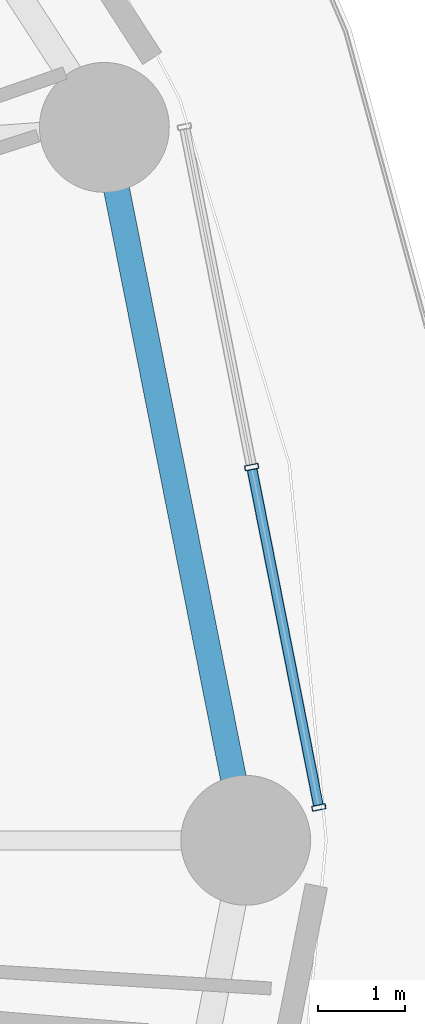
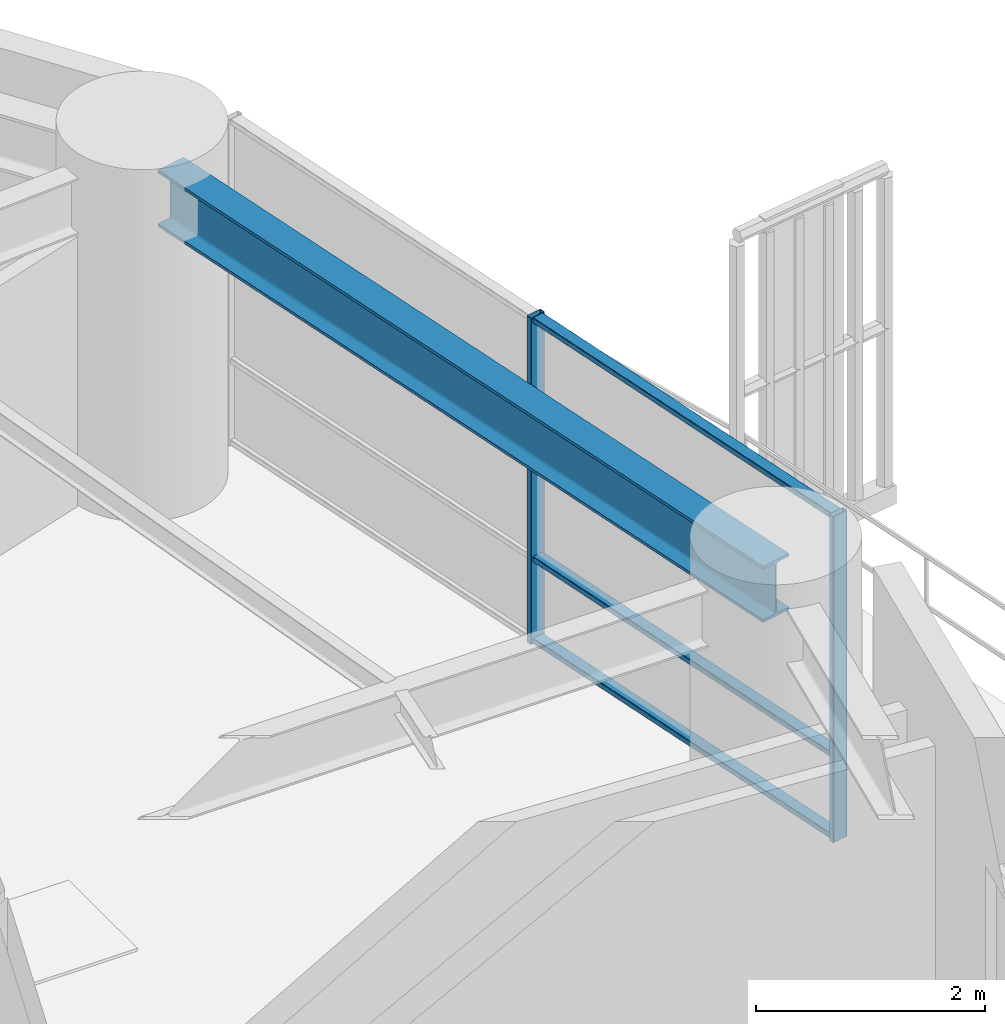
# One storey, part 14 of 32: 5 members, 1 beam, 1 element without a shape of its own.
"""IFC4 building model written with IfcOpenShell, lengths in metres."""

from ifc_helpers import new_model, si_unit, direction, frame, origin, origin_2d, place, context, subcontext, project, spatial, hollow_rectangle, i_section, extrude, material, layer, layer_set, material_profile, profile_set, type_object, element, aggregate, save


model = new_model("IFC4")

# Units and contexts
model_context = context("Model", 3, precision=1e-05, world=origin(), true_north=direction((0.0, 1.0)))
body_context = subcontext(model_context, "Body", "Model", "MODEL_VIEW")
ifc_project = project(units=[si_unit("LENGTHUNIT", "METRE"), si_unit("AREAUNIT", "SQUARE_METRE"), si_unit("VOLUMEUNIT", "CUBIC_METRE"), si_unit("PLANEANGLEUNIT", "RADIAN"), si_unit("MASSUNIT", "GRAM", prefix="KILO")], contexts=[model_context])

# Site, building, storey
site_placement = place(None, origin())
site = spatial("IfcSite", under=ifc_project, at=site_placement, CompositionType="ELEMENT")
building_placement = place(site_placement, origin())
building = spatial("IfcBuilding", under=site, at=building_placement, Name="Kelanora Arch Commons", CompositionType="ELEMENT")
storey_placement = place(building_placement, frame((0.0, 0.0, 60.0)))
storey = spatial("IfcBuildingStorey", under=building, at=storey_placement, Name="L15", CompositionType="ELEMENT", Elevation=60.0)

# Beam
ifc_material_1 = material(Name="Steel S355", Category="steel")
ifc_material_profile_1 = material_profile(ifc_material_1, i_section(OverallWidth=0.300048828125, OverallDepth=0.60009765625, WebThickness=0.015380859375, FlangeThickness=0.030029296875, FilletRadius=0.027099609375, at=origin_2d()), Name="HEB600")
ifc_profile_set_1 = profile_set([ifc_material_profile_1], Name="Steel S355")
beam_type = type_object("IfcBeamType", Name="BM-SPN-Z1", PredefinedType="SPANDREL", material=ifc_profile_set_1)
beam_placement = place(storey_placement, frame((101.080078125, 58.0, 3.18994140625), z_axis=(-0.194522790633, 0.980897998736, 0.0), x_axis=(-0.980897998736, -0.194522790633, 0.0)))
element("IfcBeam", 1, at=beam_placement, inside=storey, type_object=beam_type, Name="Perimeter Spandrel Beam BS-00 L15", PredefinedType="SPANDREL", context=body_context, shape_type="SweptSolid", body=[
    extrude(i_section(OverallWidth=0.300048828125, OverallDepth=0.60009765625, WebThickness=0.015380859375, FlangeThickness=0.030029296875, FilletRadius=0.027099609375, at=origin_2d()), origin(), (0.0, 0.0, 1.0), 8.01611328125),
])

# Curtain wall, members
ifc_material_2 = material(Name="Terracotta ceramic-fritted low-E glass and aluminium", Category="masonry")
ifc_layer = layer(ifc_material_2, 0.159912109375)
ifc_layer_set = layer_set([ifc_layer], Name="Terracotta ceramic-fritted low-E glass and aluminium")
curtain_wall_type = type_object("IfcCurtainWallType", Name="CW-SYS-01", PredefinedType="NOTDEFINED", material=ifc_layer_set)
curtain_wall_placement = place(storey_placement, origin())
curtain_wall = element("IfcCurtainWall", 2, at=curtain_wall_placement, inside=storey, type_object=curtain_wall_type, Name="Unitised Curtain Wall L15-B00", PredefinedType="NOTDEFINED")
ifc_material_3 = material(Name="Powder-coated aluminium terracotta", Category="masonry")
ifc_material_profile_2 = material_profile(ifc_material_3, hollow_rectangle(XDim=0.159912109375, YDim=0.06005859375, WallThickness=0.0048828125, InnerFilletRadius=0.0048828125, OuterFilletRadius=0.010009765625, at=origin_2d()), Name="CWM160x60")
ifc_profile_set_2 = profile_set([ifc_material_profile_2], Name="Powder-coated aluminium terracotta")
member_type_1 = type_object("IfcMemberType", Name="CWM-STD", PredefinedType="MULLION", material=ifc_profile_set_2)
member_1_placement = place(storey_placement, frame((101.925048828125, 58.379150390625, 0.0), z_axis=(0.0, 0.0, 1.0), x_axis=(-0.981052110579, -0.193744048498, 0.0)))
member_1 = element("IfcMember", 3, at=member_1_placement, type_object=member_type_1, Name="CW-01 mullion 1", PredefinedType="MULLION", context=body_context, shape_type="SweptSolid", body=[
    extrude(hollow_rectangle(XDim=0.159912109375, YDim=0.06005859375, WallThickness=0.0048828125, InnerFilletRadius=0.0048828125, OuterFilletRadius=0.010009765625, at=origin_2d()), origin(), (0.0, 0.0, 1.0), 3.47509765625),
])
member_2_placement = place(storey_placement, frame((101.1484375, 62.3115234375, 0.0), z_axis=(0.0, 0.0, 1.0), x_axis=(-0.981052110579, -0.193744048498, 0.0)))
member_2 = element("IfcMember", 4, at=member_2_placement, type_object=member_type_1, Name="CW-01 mullion 2", PredefinedType="MULLION", context=body_context, shape_type="SweptSolid", body=[
    extrude(hollow_rectangle(XDim=0.159912109375, YDim=0.06005859375, WallThickness=0.0048828125, InnerFilletRadius=0.0048828125, OuterFilletRadius=0.010009765625, at=origin_2d()), origin(), (0.0, 0.0, 1.0), 3.47509765625),
])
ifc_material_profile_3 = material_profile(ifc_material_3, hollow_rectangle(XDim=0.1201171875, YDim=0.06005859375, WallThickness=0.0048828125, InnerFilletRadius=0.0048828125, OuterFilletRadius=0.010009765625, at=origin_2d()), Name="CWT120x60")
ifc_profile_set_3 = profile_set([ifc_material_profile_3], Name="Powder-coated aluminium terracotta")
member_type_2 = type_object("IfcMemberType", Name="CWT-STD", PredefinedType="USERDEFINED", material=ifc_profile_set_3)
member_3_placement = place(storey_placement, frame((101.919189453125, 58.408447265625, 0.030029296875), z_axis=(-0.193725436624, 0.98105578598, 0.0), x_axis=(-0.98105578598, -0.193725436624, 0.0)))
member_3 = element("IfcMember", 5, at=member_3_placement, type_object=member_type_2, Name="CW-01 transom 1.1", ObjectType="TRANSOM", PredefinedType="USERDEFINED", context=body_context, shape_type="SweptSolid", body=[
    extrude(hollow_rectangle(XDim=0.1201171875, YDim=0.06005859375, WallThickness=0.0048828125, InnerFilletRadius=0.0048828125, OuterFilletRadius=0.010009765625, at=origin_2d()), origin(), (0.0, 0.0, 1.0), 3.9482421875),
])
member_4_placement = place(storey_placement, frame((101.919189453125, 58.408447265625, 0.89990234375), z_axis=(-0.193725436624, 0.98105578598, 0.0), x_axis=(-0.98105578598, -0.193725436624, 0.0)))
member_4 = element("IfcMember", 6, at=member_4_placement, type_object=member_type_2, Name="CW-01 transom 1.2", ObjectType="TRANSOM", PredefinedType="USERDEFINED", context=body_context, shape_type="SweptSolid", body=[
    extrude(hollow_rectangle(XDim=0.1201171875, YDim=0.06005859375, WallThickness=0.0048828125, InnerFilletRadius=0.0048828125, OuterFilletRadius=0.010009765625, at=origin_2d()), origin(), (0.0, 0.0, 1.0), 3.9482421875),
])
member_5_placement = place(storey_placement, frame((101.919189453125, 58.408447265625, 3.445068359375), z_axis=(-0.193725436624, 0.98105578598, 0.0), x_axis=(-0.98105578598, -0.193725436624, 0.0)))
member_5 = element("IfcMember", 7, at=member_5_placement, type_object=member_type_2, Name="CW-01 transom 1.3", ObjectType="TRANSOM", PredefinedType="USERDEFINED", context=body_context, shape_type="SweptSolid", body=[
    extrude(hollow_rectangle(XDim=0.1201171875, YDim=0.06005859375, WallThickness=0.0048828125, InnerFilletRadius=0.0048828125, OuterFilletRadius=0.010009765625, at=origin_2d()), origin(), (0.0, 0.0, 1.0), 3.9482421875),
])
aggregate(curtain_wall, [member_1, member_2, member_3, member_4, member_5])

save(model, "model.ifc")
